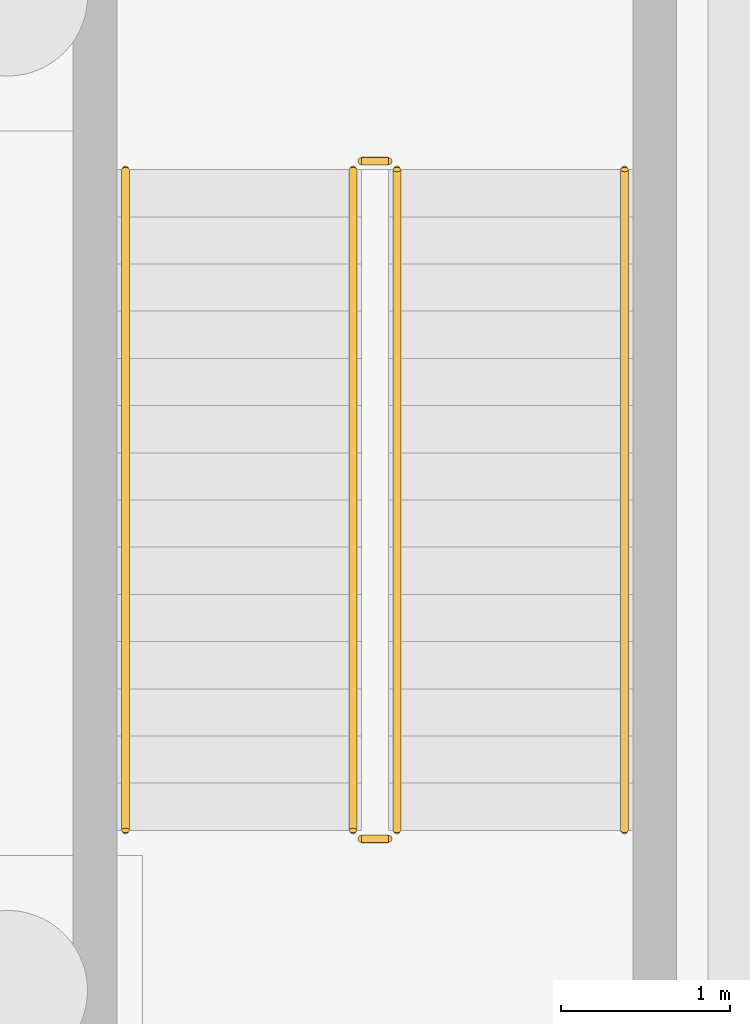
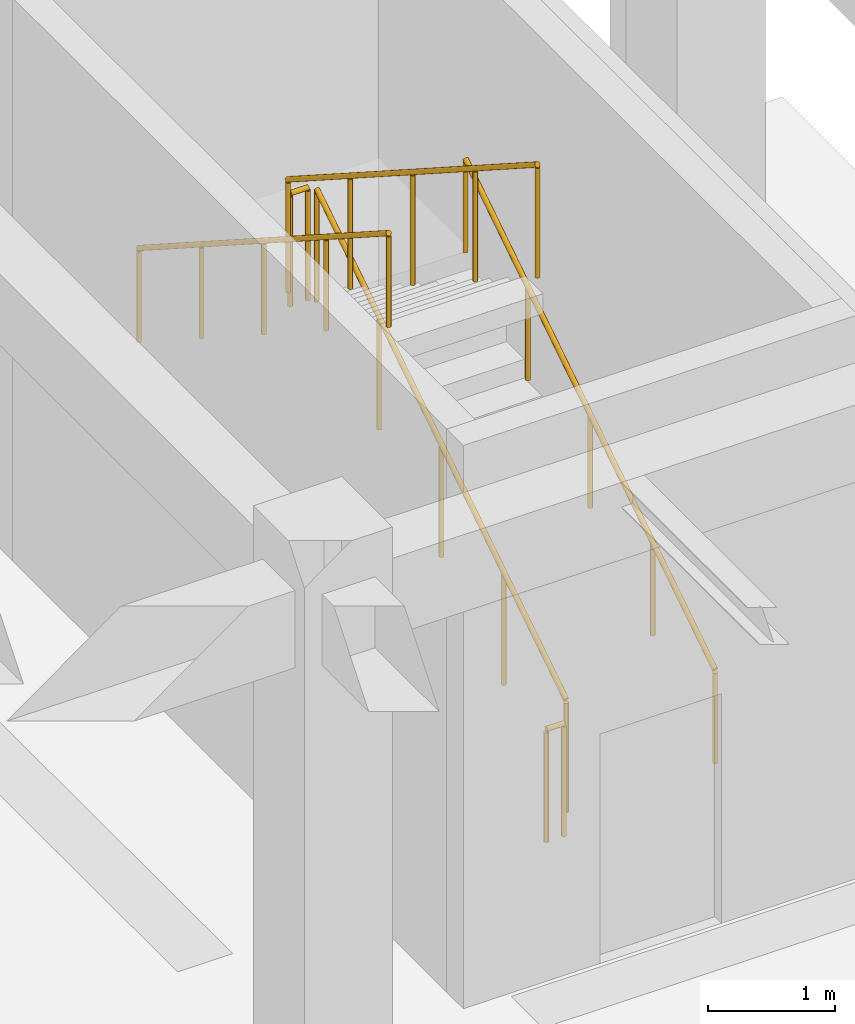
# One storey, part 33 of 44: 6 railings.
"""IFC4 building model written with IfcOpenShell, lengths in metres."""

from ifc_helpers import new_model, si_unit, direction, frame, origin, origin_2d, place, context, subcontext, project, spatial, circle, extrude, material, type_object, element, save


model = new_model("IFC4")

# Units and contexts
model_context = context("Model", 3, precision=1e-05, world=origin(), true_north=direction((0.0, 1.0)))
body_context = subcontext(model_context, "Body", "Model", "MODEL_VIEW")
ifc_project = project(units=[si_unit("LENGTHUNIT", "METRE"), si_unit("AREAUNIT", "SQUARE_METRE"), si_unit("VOLUMEUNIT", "CUBIC_METRE"), si_unit("PLANEANGLEUNIT", "RADIAN"), si_unit("MASSUNIT", "GRAM", prefix="KILO")], contexts=[model_context])

# Site, building, storey
site_placement = place(None, origin())
site = spatial("IfcSite", under=ifc_project, at=site_placement, CompositionType="ELEMENT")
building_placement = place(site_placement, origin())
building = spatial("IfcBuilding", under=site, at=building_placement, Name="Pecanmere Concourse Central Library", CompositionType="ELEMENT")
storey_placement = place(building_placement, frame((0.0, 0.0, -5.39990234375)))
storey = spatial("IfcBuildingStorey", under=building, at=storey_placement, Name="B1", CompositionType="ELEMENT", Elevation=-5.39990234375)

# Railings
ifc_material_1 = material(Name="Painted architectural steel ASTM A36", Category="steel")
railing_type_1 = type_object("IfcRailingType", Name="RAIL_STAIR_GUARD", PredefinedType="GUARDRAIL", material=ifc_material_1)
railing_1_placement = place(storey_placement, frame((43.360107421875, 10.0, 0.179931640625)))
element("IfcRailing", 1, at=railing_1_placement, inside=storey, type_object=railing_type_1, Name="B1 ST-07 Guard 1", PredefinedType="GUARDRAIL", context=body_context, shape_type="SweptSolid", body=[
    extrude(circle(Radius=0.02392578125, at=origin_2d()), frame((0.0, 0.0, 1.076171875), z_axis=(0.0, 0.841171666519, 0.540768182723), x_axis=(-1.0, 0.0, 0.0)), (0.0, 0.0, 1.0), 4.66015625),
    extrude(circle(Radius=0.02099609375, at=origin_2d()), origin(), (0.0, 0.0, 1.0), 1.052001953125),
    extrude(circle(Radius=0.02099609375, at=origin_2d()), frame((0.0, 0.97998046875, 0.6298828125)), (0.0, 0.0, 1.0), 1.052001953125),
    extrude(circle(Radius=0.02099609375, at=origin_2d()), frame((0.0, 1.9599609375, 1.260009765625)), (0.0, 0.0, 1.0), 1.052001953125),
    extrude(circle(Radius=0.02099609375, at=origin_2d()), frame((0.0, 2.93994140625, 1.89013671875)), (0.0, 0.0, 1.0), 1.052001953125),
    extrude(circle(Radius=0.02099609375, at=origin_2d()), frame((0.0, 3.919921875, 2.52001953125)), (0.0, 0.0, 1.0), 1.052001953125),
])
railing_2_placement = place(storey_placement, frame((43.31005859375, 13.969970703125, 2.699951171875)))
element("IfcRailing", 2, at=railing_2_placement, inside=storey, type_object=railing_type_1, Name="B1 ST-07 Guard 2", PredefinedType="GUARDRAIL", context=body_context, shape_type="SweptSolid", body=[
    extrude(circle(Radius=0.02392578125, at=origin_2d()), frame((0.0, 0.0, 1.076171875), z_axis=(-1.0, 0.0, 0.0), x_axis=(0.0, -1.0, 0.0)), (0.0, 0.0, 1.0), 0.16015625),
    extrude(circle(Radius=0.02099609375, at=origin_2d()), origin(), (0.0, 0.0, 1.0), 1.052001953125),
    extrude(circle(Radius=0.02099609375, at=origin_2d()), frame((-0.16015625, 0.0, 0.0)), (0.0, 0.0, 1.0), 1.052001953125),
])
railing_3_placement = place(storey_placement, frame((43.10009765625, 13.919921875, 2.8798828125)))
element("IfcRailing", 3, at=railing_3_placement, inside=storey, type_object=railing_type_1, Name="B1 ST-07 Guard 3", PredefinedType="GUARDRAIL", context=body_context, shape_type="SweptSolid", body=[
    extrude(circle(Radius=0.02392578125, at=origin_2d()), frame((0.0, 0.0, 1.076171875), z_axis=(0.0, -0.841171666519, 0.540768182723), x_axis=(1.0, 0.0, 0.0)), (0.0, 0.0, 1.0), 4.66015625),
    extrude(circle(Radius=0.02099609375, at=origin_2d()), origin(), (0.0, 0.0, 1.0), 1.052001953125),
    extrude(circle(Radius=0.02099609375, at=origin_2d()), frame((0.0, -0.97998046875, 0.6298828125)), (0.0, 0.0, 1.0), 1.052001953125),
    extrude(circle(Radius=0.02099609375, at=origin_2d()), frame((0.0, -1.9599609375, 1.260009765625)), (0.0, 0.0, 1.0), 1.052001953125),
    extrude(circle(Radius=0.02099609375, at=origin_2d()), frame((0.0, -2.93994140625, 1.89013671875)), (0.0, 0.0, 1.0), 1.052001953125),
    extrude(circle(Radius=0.02099609375, at=origin_2d()), frame((0.0, -3.919921875, 2.52001953125)), (0.0, 0.0, 1.0), 1.052001953125),
])
railing_4_placement = place(storey_placement, frame((43.31005859375, 9.949951171875, 0.0)))
element("IfcRailing", 4, at=railing_4_placement, inside=storey, type_object=railing_type_1, Name="B1 ST-07 Guard 4", PredefinedType="GUARDRAIL", context=body_context, shape_type="SweptSolid", body=[
    extrude(circle(Radius=0.02392578125, at=origin_2d()), frame((0.0, 0.0, 1.076171875), z_axis=(-1.0, 0.0, 0.0), x_axis=(0.0, -1.0, 0.0)), (0.0, 0.0, 1.0), 0.16015625),
    extrude(circle(Radius=0.02099609375, at=origin_2d()), origin(), (0.0, 0.0, 1.0), 1.052001953125),
    extrude(circle(Radius=0.02099609375, at=origin_2d()), frame((-0.16015625, 0.0, 0.0)), (0.0, 0.0, 1.0), 1.052001953125),
])
ifc_material_2 = material(Name="Brushed stainless steel Grade 316", Category="steel")
railing_type_2 = type_object("IfcRailingType", Name="RAIL_STAIR_HR", PredefinedType="HANDRAIL", material=ifc_material_2)
railing_5_placement = place(storey_placement, frame((44.7099609375, 10.0, 0.179931640625)))
element("IfcRailing", 5, at=railing_5_placement, inside=storey, type_object=railing_type_2, Name="B1 ST-07 Handrail 1", PredefinedType="HANDRAIL", context=body_context, shape_type="SweptSolid", body=[
    extrude(circle(Radius=0.02392578125, at=origin_2d()), frame((0.0, 0.0, 0.89111328125), z_axis=(0.0, 0.841171666519, 0.540768182723), x_axis=(-1.0, 0.0, 0.0)), (0.0, 0.0, 1.0), 4.66015625),
    extrude(circle(Radius=0.02099609375, at=origin_2d()), origin(), (0.0, 0.0, 1.0), 0.866943359375),
    extrude(circle(Radius=0.02099609375, at=origin_2d()), frame((0.0, 0.97998046875, 0.6298828125)), (0.0, 0.0, 1.0), 0.866943359375),
    extrude(circle(Radius=0.02099609375, at=origin_2d()), frame((0.0, 1.9599609375, 1.260009765625)), (0.0, 0.0, 1.0), 0.866943359375),
    extrude(circle(Radius=0.02099609375, at=origin_2d()), frame((0.0, 2.93994140625, 1.89013671875)), (0.0, 0.0, 1.0), 0.866943359375),
    extrude(circle(Radius=0.02099609375, at=origin_2d()), frame((0.0, 3.919921875, 2.52001953125)), (0.0, 0.0, 1.0), 0.866943359375),
])
railing_6_placement = place(storey_placement, frame((41.75, 13.919921875, 2.8798828125)))
element("IfcRailing", 6, at=railing_6_placement, inside=storey, type_object=railing_type_2, Name="B1 ST-07 Handrail 2", PredefinedType="HANDRAIL", context=body_context, shape_type="SweptSolid", body=[
    extrude(circle(Radius=0.02392578125, at=origin_2d()), frame((0.0, 0.0, 0.89111328125), z_axis=(0.0, -0.841171666519, 0.540768182723), x_axis=(1.0, 0.0, 0.0)), (0.0, 0.0, 1.0), 4.66015625),
    extrude(circle(Radius=0.02099609375, at=origin_2d()), origin(), (0.0, 0.0, 1.0), 0.866943359375),
    extrude(circle(Radius=0.02099609375, at=origin_2d()), frame((0.0, -0.97998046875, 0.6298828125)), (0.0, 0.0, 1.0), 0.866943359375),
    extrude(circle(Radius=0.02099609375, at=origin_2d()), frame((0.0, -1.9599609375, 1.260009765625)), (0.0, 0.0, 1.0), 0.866943359375),
    extrude(circle(Radius=0.02099609375, at=origin_2d()), frame((0.0, -2.93994140625, 1.89013671875)), (0.0, 0.0, 1.0), 0.866943359375),
    extrude(circle(Radius=0.02099609375, at=origin_2d()), frame((0.0, -3.919921875, 2.52001953125)), (0.0, 0.0, 1.0), 0.866943359375),
])

save(model, "model.ifc")
